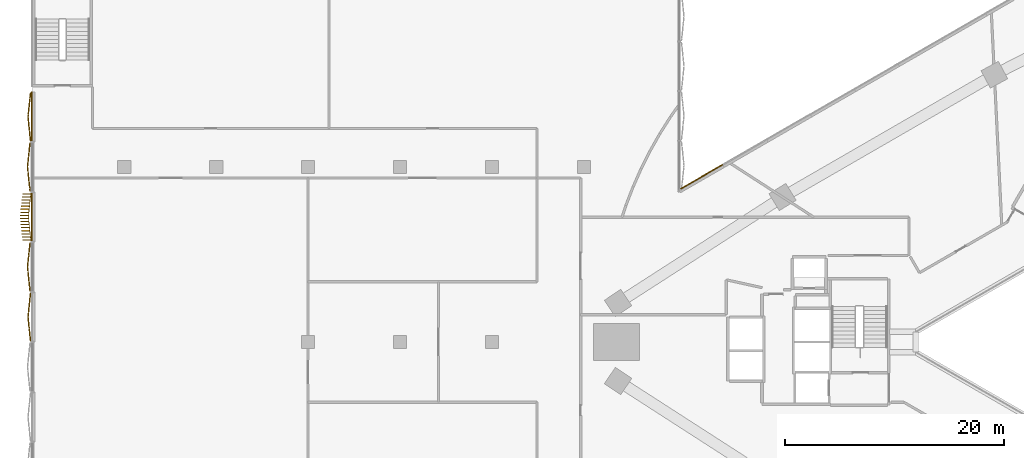
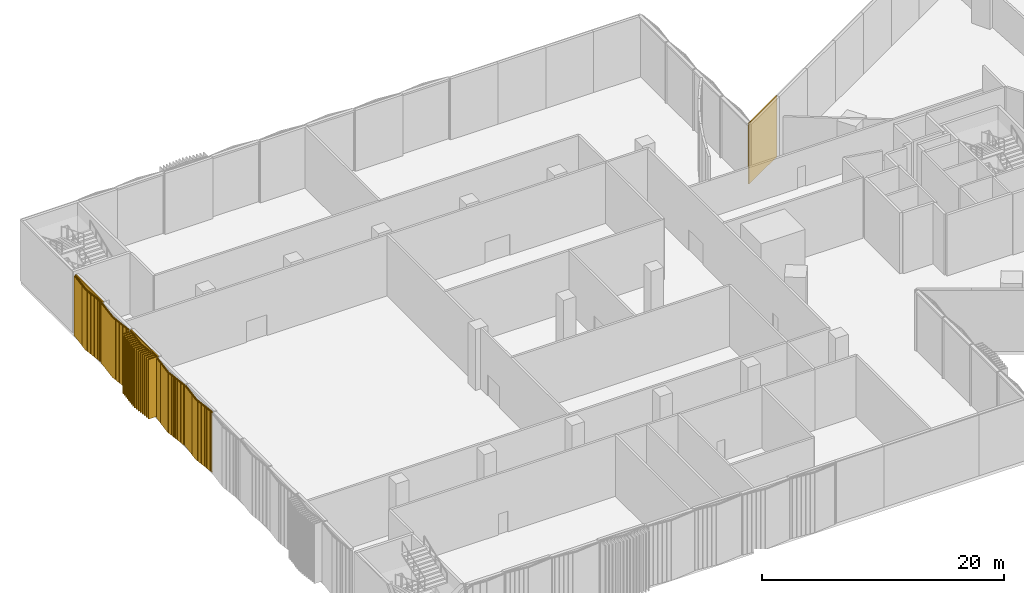
# One storey, part 25 of 32: 8 coverings.
"""IFC4 building model written with IfcOpenShell, lengths in metres."""

from ifc_helpers import new_model, si_unit, direction, frame, frame_2d, origin, origin_2d, place, context, subcontext, project, spatial, rectangle, extrude, source, transform, mapped, material, layer, layer_set, type_object, element, save


model = new_model("IFC4")

# Units and contexts
model_context = context("Model", 3, precision=1e-05, world=origin(), true_north=direction((0.0, 1.0)))
body_context = subcontext(model_context, "Body", "Model", "MODEL_VIEW")
ifc_project = project(units=[si_unit("LENGTHUNIT", "METRE"), si_unit("AREAUNIT", "SQUARE_METRE"), si_unit("VOLUMEUNIT", "CUBIC_METRE"), si_unit("PLANEANGLEUNIT", "RADIAN"), si_unit("MASSUNIT", "GRAM", prefix="KILO")], contexts=[model_context])

# Site, building, storey
site_placement = place(None, origin())
site = spatial("IfcSite", under=ifc_project, at=site_placement, CompositionType="ELEMENT")
building_placement = place(site_placement, origin())
building = spatial("IfcBuilding", under=site, at=building_placement, Name="Tamra Quay Hotel Tower", CompositionType="ELEMENT")
storey_placement = place(building_placement, frame((0.0, 0.0, 7.5)))
storey = spatial("IfcBuildingStorey", under=building, at=storey_placement, Name="L01", CompositionType="ELEMENT", Elevation=7.5)

# Coverings
ifc_material_1 = material(Name="Precast concrete M60 terracotta-coloured pierced relief", Category="masonry")
ifc_layer = layer(ifc_material_1, 0.10009765625)
ifc_layer_set = layer_set([ifc_layer], Name="PIERCED RELIEF PANEL 100")
covering_type_1 = type_object("IfcCoveringType", Name="PIERCED RELIEF PANEL 100", PredefinedType="CLADDING", material=ifc_layer_set)
covering_1_placement = place(storey_placement, frame((-28.024169921875, 15.053955078125, 0.0), z_axis=(0.0, 0.0, 1.0), x_axis=(-0.866214936261, -0.499671576337, 0.0)))
element("IfcCovering", 1, at=covering_1_placement, inside=storey, type_object=covering_type_1, Name="Relief panel L01.NW.10", PredefinedType="CLADDING", context=body_context, shape_type="SweptSolid", body=[
    extrude(rectangle(XDim=4.599853515625, YDim=0.10009765625, at=origin_2d()), origin(), (0.0, 0.0, 1.0), 6.14990234375),
])
for number, where, z_axis, x_axis, name in (
    (2, (-89.14990234375, 20.571533203125, 0.0), (0.0, 0.0, 1.0), (0.0, -1.0, 0.0), "Relief panel L01.W.00"),
    (3, (-89.14990234375, 11.428466796875, 0.0), (0.0, 0.0, 1.0), (0.0, -1.0, 0.0), "Relief panel L01.W.02"),
):
    element("IfcCovering", number, at=place(storey_placement, frame(where, z_axis=z_axis, x_axis=x_axis)), inside=storey, type_object=covering_type_1, Name=name, PredefinedType="CLADDING", context=body_context, shape_type="SweptSolid", body=[
        extrude(rectangle(XDim=4.551513671875, YDim=0.10009765625, at=origin_2d()), origin(), (0.0, 0.0, 1.0), 6.14990234375),
    ])
ifc_material_2 = material(Name="Terracotta baguette extruded", Category="masonry")
covering_type_2 = type_object("IfcCoveringType", Name="BAGUETTE SCREEN PODIUM-SHALLOW H6150", PredefinedType="USERDEFINED", material=ifc_material_2)
shared_shape_1 = source(origin(), body_context, "Body", "SweptSolid", [
    extrude(rectangle(XDim=2.2548828125, YDim=0.06005859375, at=frame_2d((1.12744140625, 0.030029296875))), frame((-2.248779296875, -0.0576171875, -0.1201171875), z_axis=(0.0, 0.0, 1.0), x_axis=(0.994521895368, -0.104528463268, 0.0)), (0.0, 0.0, 1.0), 0.1201171875),
    extrude(rectangle(XDim=2.2548828125, YDim=0.06005859375, at=frame_2d((1.12744140625, 0.030029296875))), frame((-2.248779296875, -0.0576171875, -6.14990234375), z_axis=(0.0, 0.0, 1.0), x_axis=(0.994521895368, -0.104528463268, 0.0)), (0.0, 0.0, 1.0), 0.1201171875),
    extrude(rectangle(XDim=0.094970703125, YDim=0.10009765625, at=frame_2d((0.04736328125, 0.050048828125))), frame((-2.2412109375, -0.133056640625, -6.090087890625)), (0.0, 0.0, 1.0), 6.030029296875),
    extrude(rectangle(XDim=0.094970703125, YDim=0.10009765625, at=frame_2d((0.04736328125, 0.050048828125))), frame((-2.143798828125, -0.143310546875, -6.090087890625)), (0.0, 0.0, 1.0), 6.030029296875),
    extrude(rectangle(XDim=0.094970703125, YDim=0.10009765625, at=frame_2d((0.04736328125, 0.050048828125))), frame((-2.046142578125, -0.153564453125, -6.090087890625)), (0.0, 0.0, 1.0), 6.030029296875),
    extrude(rectangle(XDim=0.094970703125, YDim=0.10009765625, at=frame_2d((0.04736328125, 0.050048828125))), frame((-1.94873046875, -0.163818359375, -6.090087890625)), (0.0, 0.0, 1.0), 6.030029296875),
    extrude(rectangle(XDim=0.094970703125, YDim=0.10009765625, at=frame_2d((0.04736328125, 0.050048828125))), frame((-1.851318359375, -0.174072265625, -6.090087890625)), (0.0, 0.0, 1.0), 6.030029296875),
    extrude(rectangle(XDim=0.094970703125, YDim=0.10009765625, at=frame_2d((0.04736328125, 0.050048828125))), frame((-1.753662109375, -0.184326171875, -6.090087890625)), (0.0, 0.0, 1.0), 6.030029296875),
    extrude(rectangle(XDim=0.094970703125, YDim=0.10009765625, at=frame_2d((0.04736328125, 0.050048828125))), frame((-1.65625, -0.194580078125, -6.090087890625)), (0.0, 0.0, 1.0), 6.030029296875),
    extrude(rectangle(XDim=0.094970703125, YDim=0.10009765625, at=frame_2d((0.04736328125, 0.050048828125))), frame((-1.558837890625, -0.204833984375, -6.090087890625)), (0.0, 0.0, 1.0), 6.030029296875),
    extrude(rectangle(XDim=0.094970703125, YDim=0.10009765625, at=frame_2d((0.04736328125, 0.050048828125))), frame((-1.461181640625, -0.215087890625, -6.090087890625)), (0.0, 0.0, 1.0), 6.030029296875),
    extrude(rectangle(XDim=0.094970703125, YDim=0.10009765625, at=frame_2d((0.04736328125, 0.050048828125))), frame((-1.36376953125, -0.225341796875, -6.090087890625)), (0.0, 0.0, 1.0), 6.030029296875),
    extrude(rectangle(XDim=0.094970703125, YDim=0.10009765625, at=frame_2d((0.04736328125, 0.050048828125))), frame((-1.266357421875, -0.235595703125, -6.090087890625)), (0.0, 0.0, 1.0), 6.030029296875),
    extrude(rectangle(XDim=0.094970703125, YDim=0.10009765625, at=frame_2d((0.04736328125, 0.050048828125))), frame((-1.168701171875, -0.245849609375, -6.090087890625)), (0.0, 0.0, 1.0), 6.030029296875),
    extrude(rectangle(XDim=0.094970703125, YDim=0.10009765625, at=frame_2d((0.04736328125, 0.050048828125))), frame((-1.0712890625, -0.256103515625, -6.090087890625)), (0.0, 0.0, 1.0), 6.030029296875),
    extrude(rectangle(XDim=0.094970703125, YDim=0.10009765625, at=frame_2d((0.04736328125, 0.050048828125))), frame((-0.9736328125, -0.266357421875, -6.090087890625)), (0.0, 0.0, 1.0), 6.030029296875),
    extrude(rectangle(XDim=0.094970703125, YDim=0.10009765625, at=frame_2d((0.04736328125, 0.050048828125))), frame((-0.876220703125, -0.276611328125, -6.090087890625)), (0.0, 0.0, 1.0), 6.030029296875),
    extrude(rectangle(XDim=0.094970703125, YDim=0.10009765625, at=frame_2d((0.04736328125, 0.050048828125))), frame((-0.77880859375, -0.286865234375, -6.090087890625)), (0.0, 0.0, 1.0), 6.030029296875),
    extrude(rectangle(XDim=0.094970703125, YDim=0.10009765625, at=frame_2d((0.04736328125, 0.050048828125))), frame((-0.68115234375, -0.297119140625, -6.090087890625)), (0.0, 0.0, 1.0), 6.030029296875),
    extrude(rectangle(XDim=0.094970703125, YDim=0.10009765625, at=frame_2d((0.04736328125, 0.050048828125))), frame((-0.583740234375, -0.307373046875, -6.090087890625)), (0.0, 0.0, 1.0), 6.030029296875),
    extrude(rectangle(XDim=0.094970703125, YDim=0.10009765625, at=frame_2d((0.04736328125, 0.050048828125))), frame((-0.486328125, -0.317626953125, -6.090087890625)), (0.0, 0.0, 1.0), 6.030029296875),
    extrude(rectangle(XDim=0.094970703125, YDim=0.10009765625, at=frame_2d((0.04736328125, 0.050048828125))), frame((-0.388671875, -0.327880859375, -6.090087890625)), (0.0, 0.0, 1.0), 6.030029296875),
    extrude(rectangle(XDim=0.094970703125, YDim=0.10009765625, at=frame_2d((0.04736328125, 0.050048828125))), frame((-0.291259765625, -0.338134765625, -6.090087890625)), (0.0, 0.0, 1.0), 6.030029296875),
    extrude(rectangle(XDim=0.094970703125, YDim=0.10009765625, at=frame_2d((0.04736328125, 0.050048828125))), frame((-0.19384765625, -0.348388671875, -6.090087890625)), (0.0, 0.0, 1.0), 6.030029296875),
    extrude(rectangle(XDim=0.094970703125, YDim=0.10009765625, at=frame_2d((0.04736328125, 0.050048828125))), frame((-0.09619140625, -0.358642578125, -6.090087890625)), (0.0, 0.0, 1.0), 6.030029296875),
    extrude(rectangle(XDim=2.2548828125, YDim=0.06005859375, at=frame_2d((1.12744140625, 0.030029296875))), frame((0.00634765625, -0.29345703125, -0.1201171875), z_axis=(0.0, 0.0, 1.0), x_axis=(0.994521895368, 0.104528463268, 0.0)), (0.0, 0.0, 1.0), 0.1201171875),
    extrude(rectangle(XDim=2.2548828125, YDim=0.06005859375, at=frame_2d((1.12744140625, 0.030029296875))), frame((0.00634765625, -0.29345703125, -6.14990234375), z_axis=(0.0, 0.0, 1.0), x_axis=(0.994521895368, 0.104528463268, 0.0)), (0.0, 0.0, 1.0), 0.1201171875),
    extrude(rectangle(XDim=0.094970703125, YDim=0.10009765625, at=frame_2d((0.04736328125, 0.050048828125))), frame((0.001220703125, -0.358642578125, -6.090087890625)), (0.0, 0.0, 1.0), 6.030029296875),
    extrude(rectangle(XDim=0.094970703125, YDim=0.10009765625, at=frame_2d((0.04736328125, 0.050048828125))), frame((0.0986328125, -0.348388671875, -6.090087890625)), (0.0, 0.0, 1.0), 6.030029296875),
    extrude(rectangle(XDim=0.094970703125, YDim=0.10009765625, at=frame_2d((0.04736328125, 0.050048828125))), frame((0.1962890625, -0.338134765625, -6.090087890625)), (0.0, 0.0, 1.0), 6.030029296875),
    extrude(rectangle(XDim=0.094970703125, YDim=0.10009765625, at=frame_2d((0.04736328125, 0.050048828125))), frame((0.293701171875, -0.327880859375, -6.090087890625)), (0.0, 0.0, 1.0), 6.030029296875),
    extrude(rectangle(XDim=0.094970703125, YDim=0.10009765625, at=frame_2d((0.04736328125, 0.050048828125))), frame((0.391357421875, -0.317626953125, -6.090087890625)), (0.0, 0.0, 1.0), 6.030029296875),
    extrude(rectangle(XDim=0.094970703125, YDim=0.10009765625, at=frame_2d((0.04736328125, 0.050048828125))), frame((0.48876953125, -0.307373046875, -6.090087890625)), (0.0, 0.0, 1.0), 6.030029296875),
    extrude(rectangle(XDim=0.094970703125, YDim=0.10009765625, at=frame_2d((0.04736328125, 0.050048828125))), frame((0.586181640625, -0.297119140625, -6.090087890625)), (0.0, 0.0, 1.0), 6.030029296875),
    extrude(rectangle(XDim=0.094970703125, YDim=0.10009765625, at=frame_2d((0.04736328125, 0.050048828125))), frame((0.683837890625, -0.286865234375, -6.090087890625)), (0.0, 0.0, 1.0), 6.030029296875),
    extrude(rectangle(XDim=0.094970703125, YDim=0.10009765625, at=frame_2d((0.04736328125, 0.050048828125))), frame((0.78125, -0.276611328125, -6.090087890625)), (0.0, 0.0, 1.0), 6.030029296875),
    extrude(rectangle(XDim=0.094970703125, YDim=0.10009765625, at=frame_2d((0.04736328125, 0.050048828125))), frame((0.878662109375, -0.266357421875, -6.090087890625)), (0.0, 0.0, 1.0), 6.030029296875),
    extrude(rectangle(XDim=0.094970703125, YDim=0.10009765625, at=frame_2d((0.04736328125, 0.050048828125))), frame((0.976318359375, -0.256103515625, -6.090087890625)), (0.0, 0.0, 1.0), 6.030029296875),
    extrude(rectangle(XDim=0.094970703125, YDim=0.10009765625, at=frame_2d((0.04736328125, 0.050048828125))), frame((1.07373046875, -0.245849609375, -6.090087890625)), (0.0, 0.0, 1.0), 6.030029296875),
    extrude(rectangle(XDim=0.094970703125, YDim=0.10009765625, at=frame_2d((0.04736328125, 0.050048828125))), frame((1.171142578125, -0.235595703125, -6.090087890625)), (0.0, 0.0, 1.0), 6.030029296875),
    extrude(rectangle(XDim=0.094970703125, YDim=0.10009765625, at=frame_2d((0.04736328125, 0.050048828125))), frame((1.268798828125, -0.225341796875, -6.090087890625)), (0.0, 0.0, 1.0), 6.030029296875),
    extrude(rectangle(XDim=0.094970703125, YDim=0.10009765625, at=frame_2d((0.04736328125, 0.050048828125))), frame((1.3662109375, -0.215087890625, -6.090087890625)), (0.0, 0.0, 1.0), 6.030029296875),
    extrude(rectangle(XDim=0.094970703125, YDim=0.10009765625, at=frame_2d((0.04736328125, 0.050048828125))), frame((1.4638671875, -0.204833984375, -6.090087890625)), (0.0, 0.0, 1.0), 6.030029296875),
    extrude(rectangle(XDim=0.094970703125, YDim=0.10009765625, at=frame_2d((0.04736328125, 0.050048828125))), frame((1.561279296875, -0.194580078125, -6.090087890625)), (0.0, 0.0, 1.0), 6.030029296875),
    extrude(rectangle(XDim=0.094970703125, YDim=0.10009765625, at=frame_2d((0.04736328125, 0.050048828125))), frame((1.65869140625, -0.184326171875, -6.090087890625)), (0.0, 0.0, 1.0), 6.030029296875),
    extrude(rectangle(XDim=0.094970703125, YDim=0.10009765625, at=frame_2d((0.04736328125, 0.050048828125))), frame((1.75634765625, -0.174072265625, -6.090087890625)), (0.0, 0.0, 1.0), 6.030029296875),
    extrude(rectangle(XDim=0.094970703125, YDim=0.10009765625, at=frame_2d((0.04736328125, 0.050048828125))), frame((1.853759765625, -0.163818359375, -6.090087890625)), (0.0, 0.0, 1.0), 6.030029296875),
    extrude(rectangle(XDim=0.094970703125, YDim=0.10009765625, at=frame_2d((0.04736328125, 0.050048828125))), frame((1.951171875, -0.153564453125, -6.090087890625)), (0.0, 0.0, 1.0), 6.030029296875),
    extrude(rectangle(XDim=0.094970703125, YDim=0.10009765625, at=frame_2d((0.04736328125, 0.050048828125))), frame((2.048828125, -0.143310546875, -6.090087890625)), (0.0, 0.0, 1.0), 6.030029296875),
    extrude(rectangle(XDim=0.094970703125, YDim=0.10009765625, at=frame_2d((0.04736328125, 0.050048828125))), frame((2.146240234375, -0.133056640625, -6.090087890625)), (0.0, 0.0, 1.0), 6.030029296875),
])
for number, where, z_axis, x_axis, name in (
    (4, (-89.248046875, 16.0, 6.14990234375), (0.0, 0.0, 1.0), (0.0, -1.0, 0.0), "Baguette screen L01.W.f00"),
    (5, (-89.248046875, 6.857177734375, 6.14990234375), (0.0, 0.0, 1.0), (0.0, -1.0, 0.0), "Baguette screen L01.W.f01"),
):
    element("IfcCovering", number, at=place(storey_placement, frame(where, z_axis=z_axis, x_axis=x_axis)), inside=storey, type_object=covering_type_2, Name=name, ObjectType="BAGUETTE SCREEN", PredefinedType="USERDEFINED", context=body_context, shape_type="MappedRepresentation", body=[
        mapped(shared_shape_1, transform((0.0, 0.0, 0.0), scale=1.0)),
    ])
covering_type_3 = type_object("IfcCoveringType", Name="BAGUETTE SCREEN SW-SHALLOW H6150", PredefinedType="USERDEFINED", material=ifc_material_2)
shared_shape_2 = source(origin(), body_context, "Body", "SweptSolid", [
    extrude(rectangle(XDim=2.2548828125, YDim=0.06005859375, at=frame_2d((1.12744140625, 0.030029296875))), frame((-2.248779296875, -0.0576171875, -0.1201171875), z_axis=(0.0, 0.0, 1.0), x_axis=(0.994521895368, -0.104528463268, 0.0)), (0.0, 0.0, 1.0), 0.1201171875),
    extrude(rectangle(XDim=2.2548828125, YDim=0.06005859375, at=frame_2d((1.12744140625, 0.030029296875))), frame((-2.248779296875, -0.0576171875, -6.14990234375), z_axis=(0.0, 0.0, 1.0), x_axis=(0.994521895368, -0.104528463268, 0.0)), (0.0, 0.0, 1.0), 0.1201171875),
    extrude(rectangle(XDim=0.094970703125, YDim=0.10009765625, at=frame_2d((0.04736328125, 0.050048828125))), frame((-2.2412109375, -0.133056640625, -6.090087890625)), (0.0, 0.0, 1.0), 6.030029296875),
    extrude(rectangle(XDim=0.094970703125, YDim=0.10009765625, at=frame_2d((0.04736328125, 0.050048828125))), frame((-2.143798828125, -0.143310546875, -6.090087890625)), (0.0, 0.0, 1.0), 6.030029296875),
    extrude(rectangle(XDim=0.094970703125, YDim=0.10009765625, at=frame_2d((0.04736328125, 0.050048828125))), frame((-2.046142578125, -0.153564453125, -6.090087890625)), (0.0, 0.0, 1.0), 6.030029296875),
    extrude(rectangle(XDim=0.094970703125, YDim=0.10009765625, at=frame_2d((0.04736328125, 0.050048828125))), frame((-1.94873046875, -0.163818359375, -6.090087890625)), (0.0, 0.0, 1.0), 6.030029296875),
    extrude(rectangle(XDim=0.094970703125, YDim=0.10009765625, at=frame_2d((0.04736328125, 0.050048828125))), frame((-1.851318359375, -0.174072265625, -6.090087890625)), (0.0, 0.0, 1.0), 6.030029296875),
    extrude(rectangle(XDim=0.094970703125, YDim=0.10009765625, at=frame_2d((0.04736328125, 0.050048828125))), frame((-1.753662109375, -0.184326171875, -6.090087890625)), (0.0, 0.0, 1.0), 6.030029296875),
    extrude(rectangle(XDim=0.094970703125, YDim=0.10009765625, at=frame_2d((0.04736328125, 0.050048828125))), frame((-1.65625, -0.194580078125, -6.090087890625)), (0.0, 0.0, 1.0), 6.030029296875),
    extrude(rectangle(XDim=0.094970703125, YDim=0.10009765625, at=frame_2d((0.04736328125, 0.050048828125))), frame((-1.558837890625, -0.204833984375, -6.090087890625)), (0.0, 0.0, 1.0), 6.030029296875),
    extrude(rectangle(XDim=0.094970703125, YDim=0.10009765625, at=frame_2d((0.04736328125, 0.050048828125))), frame((-1.461181640625, -0.215087890625, -6.090087890625)), (0.0, 0.0, 1.0), 6.030029296875),
    extrude(rectangle(XDim=0.094970703125, YDim=0.10009765625, at=frame_2d((0.04736328125, 0.050048828125))), frame((-1.36376953125, -0.225341796875, -6.090087890625)), (0.0, 0.0, 1.0), 6.030029296875),
    extrude(rectangle(XDim=0.094970703125, YDim=0.10009765625, at=frame_2d((0.04736328125, 0.050048828125))), frame((-1.266357421875, -0.235595703125, -6.090087890625)), (0.0, 0.0, 1.0), 6.030029296875),
    extrude(rectangle(XDim=0.094970703125, YDim=0.10009765625, at=frame_2d((0.04736328125, 0.050048828125))), frame((-1.168701171875, -0.245849609375, -6.090087890625)), (0.0, 0.0, 1.0), 6.030029296875),
    extrude(rectangle(XDim=0.094970703125, YDim=0.10009765625, at=frame_2d((0.04736328125, 0.050048828125))), frame((-1.0712890625, -0.256103515625, -6.090087890625)), (0.0, 0.0, 1.0), 6.030029296875),
    extrude(rectangle(XDim=0.094970703125, YDim=0.10009765625, at=frame_2d((0.04736328125, 0.050048828125))), frame((-0.9736328125, -0.266357421875, -6.090087890625)), (0.0, 0.0, 1.0), 6.030029296875),
    extrude(rectangle(XDim=0.094970703125, YDim=0.10009765625, at=frame_2d((0.04736328125, 0.050048828125))), frame((-0.876220703125, -0.276611328125, -6.090087890625)), (0.0, 0.0, 1.0), 6.030029296875),
    extrude(rectangle(XDim=0.094970703125, YDim=0.10009765625, at=frame_2d((0.04736328125, 0.050048828125))), frame((-0.77880859375, -0.286865234375, -6.090087890625)), (0.0, 0.0, 1.0), 6.030029296875),
    extrude(rectangle(XDim=0.094970703125, YDim=0.10009765625, at=frame_2d((0.04736328125, 0.050048828125))), frame((-0.68115234375, -0.297119140625, -6.090087890625)), (0.0, 0.0, 1.0), 6.030029296875),
    extrude(rectangle(XDim=0.094970703125, YDim=0.10009765625, at=frame_2d((0.04736328125, 0.050048828125))), frame((-0.583740234375, -0.307373046875, -6.090087890625)), (0.0, 0.0, 1.0), 6.030029296875),
    extrude(rectangle(XDim=0.094970703125, YDim=0.10009765625, at=frame_2d((0.04736328125, 0.050048828125))), frame((-0.486328125, -0.317626953125, -6.090087890625)), (0.0, 0.0, 1.0), 6.030029296875),
    extrude(rectangle(XDim=0.094970703125, YDim=0.10009765625, at=frame_2d((0.04736328125, 0.050048828125))), frame((-0.388671875, -0.327880859375, -6.090087890625)), (0.0, 0.0, 1.0), 6.030029296875),
    extrude(rectangle(XDim=0.094970703125, YDim=0.10009765625, at=frame_2d((0.04736328125, 0.050048828125))), frame((-0.291259765625, -0.338134765625, -6.090087890625)), (0.0, 0.0, 1.0), 6.030029296875),
    extrude(rectangle(XDim=0.094970703125, YDim=0.10009765625, at=frame_2d((0.04736328125, 0.050048828125))), frame((-0.19384765625, -0.348388671875, -6.090087890625)), (0.0, 0.0, 1.0), 6.030029296875),
    extrude(rectangle(XDim=0.094970703125, YDim=0.10009765625, at=frame_2d((0.04736328125, 0.050048828125))), frame((-0.09619140625, -0.358642578125, -6.090087890625)), (0.0, 0.0, 1.0), 6.030029296875),
    extrude(rectangle(XDim=2.2548828125, YDim=0.06005859375, at=frame_2d((1.12744140625, 0.030029296875))), frame((0.00634765625, -0.29345703125, -0.1201171875), z_axis=(0.0, 0.0, 1.0), x_axis=(0.994521895368, 0.104528463268, 0.0)), (0.0, 0.0, 1.0), 0.1201171875),
    extrude(rectangle(XDim=2.2548828125, YDim=0.06005859375, at=frame_2d((1.12744140625, 0.030029296875))), frame((0.00634765625, -0.29345703125, -6.14990234375), z_axis=(0.0, 0.0, 1.0), x_axis=(0.994521895368, 0.104528463268, 0.0)), (0.0, 0.0, 1.0), 0.1201171875),
    extrude(rectangle(XDim=0.094970703125, YDim=0.10009765625, at=frame_2d((0.04736328125, 0.050048828125))), frame((0.001220703125, -0.358642578125, -6.090087890625)), (0.0, 0.0, 1.0), 6.030029296875),
    extrude(rectangle(XDim=0.094970703125, YDim=0.10009765625, at=frame_2d((0.04736328125, 0.050048828125))), frame((0.0986328125, -0.348388671875, -6.090087890625)), (0.0, 0.0, 1.0), 6.030029296875),
    extrude(rectangle(XDim=0.094970703125, YDim=0.10009765625, at=frame_2d((0.04736328125, 0.050048828125))), frame((0.1962890625, -0.338134765625, -6.090087890625)), (0.0, 0.0, 1.0), 6.030029296875),
    extrude(rectangle(XDim=0.094970703125, YDim=0.10009765625, at=frame_2d((0.04736328125, 0.050048828125))), frame((0.293701171875, -0.327880859375, -6.090087890625)), (0.0, 0.0, 1.0), 6.030029296875),
    extrude(rectangle(XDim=0.094970703125, YDim=0.10009765625, at=frame_2d((0.04736328125, 0.050048828125))), frame((0.391357421875, -0.317626953125, -6.090087890625)), (0.0, 0.0, 1.0), 6.030029296875),
    extrude(rectangle(XDim=0.094970703125, YDim=0.10009765625, at=frame_2d((0.04736328125, 0.050048828125))), frame((0.48876953125, -0.307373046875, -6.090087890625)), (0.0, 0.0, 1.0), 6.030029296875),
    extrude(rectangle(XDim=0.094970703125, YDim=0.10009765625, at=frame_2d((0.04736328125, 0.050048828125))), frame((0.586181640625, -0.297119140625, -6.090087890625)), (0.0, 0.0, 1.0), 6.030029296875),
    extrude(rectangle(XDim=0.094970703125, YDim=0.10009765625, at=frame_2d((0.04736328125, 0.050048828125))), frame((0.683837890625, -0.286865234375, -6.090087890625)), (0.0, 0.0, 1.0), 6.030029296875),
    extrude(rectangle(XDim=0.094970703125, YDim=0.10009765625, at=frame_2d((0.04736328125, 0.050048828125))), frame((0.78125, -0.276611328125, -6.090087890625)), (0.0, 0.0, 1.0), 6.030029296875),
    extrude(rectangle(XDim=0.094970703125, YDim=0.10009765625, at=frame_2d((0.04736328125, 0.050048828125))), frame((0.878662109375, -0.266357421875, -6.090087890625)), (0.0, 0.0, 1.0), 6.030029296875),
    extrude(rectangle(XDim=0.094970703125, YDim=0.10009765625, at=frame_2d((0.04736328125, 0.050048828125))), frame((0.976318359375, -0.256103515625, -6.090087890625)), (0.0, 0.0, 1.0), 6.030029296875),
    extrude(rectangle(XDim=0.094970703125, YDim=0.10009765625, at=frame_2d((0.04736328125, 0.050048828125))), frame((1.07373046875, -0.245849609375, -6.090087890625)), (0.0, 0.0, 1.0), 6.030029296875),
    extrude(rectangle(XDim=0.094970703125, YDim=0.10009765625, at=frame_2d((0.04736328125, 0.050048828125))), frame((1.171142578125, -0.235595703125, -6.090087890625)), (0.0, 0.0, 1.0), 6.030029296875),
    extrude(rectangle(XDim=0.094970703125, YDim=0.10009765625, at=frame_2d((0.04736328125, 0.050048828125))), frame((1.268798828125, -0.225341796875, -6.090087890625)), (0.0, 0.0, 1.0), 6.030029296875),
    extrude(rectangle(XDim=0.094970703125, YDim=0.10009765625, at=frame_2d((0.04736328125, 0.050048828125))), frame((1.3662109375, -0.215087890625, -6.090087890625)), (0.0, 0.0, 1.0), 6.030029296875),
    extrude(rectangle(XDim=0.094970703125, YDim=0.10009765625, at=frame_2d((0.04736328125, 0.050048828125))), frame((1.4638671875, -0.204833984375, -6.090087890625)), (0.0, 0.0, 1.0), 6.030029296875),
    extrude(rectangle(XDim=0.094970703125, YDim=0.10009765625, at=frame_2d((0.04736328125, 0.050048828125))), frame((1.561279296875, -0.194580078125, -6.090087890625)), (0.0, 0.0, 1.0), 6.030029296875),
    extrude(rectangle(XDim=0.094970703125, YDim=0.10009765625, at=frame_2d((0.04736328125, 0.050048828125))), frame((1.65869140625, -0.184326171875, -6.090087890625)), (0.0, 0.0, 1.0), 6.030029296875),
    extrude(rectangle(XDim=0.094970703125, YDim=0.10009765625, at=frame_2d((0.04736328125, 0.050048828125))), frame((1.75634765625, -0.174072265625, -6.090087890625)), (0.0, 0.0, 1.0), 6.030029296875),
    extrude(rectangle(XDim=0.094970703125, YDim=0.10009765625, at=frame_2d((0.04736328125, 0.050048828125))), frame((1.853759765625, -0.163818359375, -6.090087890625)), (0.0, 0.0, 1.0), 6.030029296875),
    extrude(rectangle(XDim=0.094970703125, YDim=0.10009765625, at=frame_2d((0.04736328125, 0.050048828125))), frame((1.951171875, -0.153564453125, -6.090087890625)), (0.0, 0.0, 1.0), 6.030029296875),
    extrude(rectangle(XDim=0.094970703125, YDim=0.10009765625, at=frame_2d((0.04736328125, 0.050048828125))), frame((2.048828125, -0.143310546875, -6.090087890625)), (0.0, 0.0, 1.0), 6.030029296875),
    extrude(rectangle(XDim=0.094970703125, YDim=0.10009765625, at=frame_2d((0.04736328125, 0.050048828125))), frame((2.146240234375, -0.133056640625, -6.090087890625)), (0.0, 0.0, 1.0), 6.030029296875),
])
for number, where, z_axis, x_axis, name in (
    (6, (-89.199951171875, 20.571533203125, 6.14990234375), (0.0, 0.0, 1.0), (0.0, -1.0, 0.0), "Baguette screen wing.L01.W.00"),
    (7, (-89.199951171875, 2.28564453125, 6.14990234375), (0.0, 0.0, 1.0), (0.0, -1.0, 0.0), "Baguette screen wing.L01.W.04"),
):
    element("IfcCovering", number, at=place(storey_placement, frame(where, z_axis=z_axis, x_axis=x_axis)), inside=storey, type_object=covering_type_3, Name=name, ObjectType="BAGUETTE SCREEN", PredefinedType="USERDEFINED", context=body_context, shape_type="MappedRepresentation", body=[
        mapped(shared_shape_2, transform((0.0, 0.0, 0.0), scale=1.0)),
    ])
covering_type_4 = type_object("IfcCoveringType", Name="BAGUETTE SCREEN SW-DEEP H6150", PredefinedType="USERDEFINED", material=ifc_material_2)
shared_shape_3 = source(origin(), body_context, "Body", "SweptSolid", [
    extrude(rectangle(XDim=2.2548828125, YDim=0.06005859375, at=frame_2d((1.12744140625, 0.030029296875))), frame((-2.248779296875, -0.0576171875, -0.1201171875), z_axis=(0.0, 0.0, 1.0), x_axis=(0.994521895368, -0.104528463268, 0.0)), (0.0, 0.0, 1.0), 0.1201171875),
    extrude(rectangle(XDim=2.2548828125, YDim=0.06005859375, at=frame_2d((1.12744140625, 0.030029296875))), frame((-2.248779296875, -0.0576171875, -6.14990234375), z_axis=(0.0, 0.0, 1.0), x_axis=(0.994521895368, -0.104528463268, 0.0)), (0.0, 0.0, 1.0), 0.1201171875),
    extrude(rectangle(XDim=0.10009765625, YDim=0.780029296875, at=frame_2d((0.050048828125, 0.39013671875))), frame((-2.15234375, -0.82275390625, -6.090087890625)), (0.0, 0.0, 1.0), 6.030029296875),
    extrude(rectangle(XDim=0.10009765625, YDim=0.780029296875, at=frame_2d((0.050048828125, 0.39013671875))), frame((-1.8720703125, -0.852294921875, -6.090087890625)), (0.0, 0.0, 1.0), 6.030029296875),
    extrude(rectangle(XDim=0.10009765625, YDim=0.780029296875, at=frame_2d((0.050048828125, 0.39013671875))), frame((-1.591796875, -0.881591796875, -6.090087890625)), (0.0, 0.0, 1.0), 6.030029296875),
    extrude(rectangle(XDim=0.10009765625, YDim=0.780029296875, at=frame_2d((0.050048828125, 0.39013671875))), frame((-1.3115234375, -0.9111328125, -6.090087890625)), (0.0, 0.0, 1.0), 6.030029296875),
    extrude(rectangle(XDim=0.10009765625, YDim=0.780029296875, at=frame_2d((0.050048828125, 0.39013671875))), frame((-1.031005859375, -0.940673828125, -6.090087890625)), (0.0, 0.0, 1.0), 6.030029296875),
    extrude(rectangle(XDim=0.10009765625, YDim=0.780029296875, at=frame_2d((0.050048828125, 0.39013671875))), frame((-0.750732421875, -0.969970703125, -6.090087890625)), (0.0, 0.0, 1.0), 6.030029296875),
    extrude(rectangle(XDim=0.10009765625, YDim=0.780029296875, at=frame_2d((0.050048828125, 0.39013671875))), frame((-0.470458984375, -0.99951171875, -6.090087890625)), (0.0, 0.0, 1.0), 6.030029296875),
    extrude(rectangle(XDim=0.10009765625, YDim=0.780029296875, at=frame_2d((0.050048828125, 0.39013671875))), frame((-0.190185546875, -1.029052734375, -6.090087890625)), (0.0, 0.0, 1.0), 6.030029296875),
    extrude(rectangle(XDim=2.2548828125, YDim=0.06005859375, at=frame_2d((1.12744140625, 0.030029296875))), frame((0.00634765625, -0.29345703125, -0.1201171875), z_axis=(0.0, 0.0, 1.0), x_axis=(0.994521895368, 0.104528463268, 0.0)), (0.0, 0.0, 1.0), 0.1201171875),
    extrude(rectangle(XDim=2.2548828125, YDim=0.06005859375, at=frame_2d((1.12744140625, 0.030029296875))), frame((0.00634765625, -0.29345703125, -6.14990234375), z_axis=(0.0, 0.0, 1.0), x_axis=(0.994521895368, 0.104528463268, 0.0)), (0.0, 0.0, 1.0), 0.1201171875),
    extrude(rectangle(XDim=0.10009765625, YDim=0.780029296875, at=frame_2d((0.050048828125, 0.39013671875))), frame((0.090087890625, -1.029052734375, -6.090087890625)), (0.0, 0.0, 1.0), 6.030029296875),
    extrude(rectangle(XDim=0.10009765625, YDim=0.780029296875, at=frame_2d((0.050048828125, 0.39013671875))), frame((0.370361328125, -0.99951171875, -6.090087890625)), (0.0, 0.0, 1.0), 6.030029296875),
    extrude(rectangle(XDim=0.10009765625, YDim=0.780029296875, at=frame_2d((0.050048828125, 0.39013671875))), frame((0.65087890625, -0.969970703125, -6.090087890625)), (0.0, 0.0, 1.0), 6.030029296875),
    extrude(rectangle(XDim=0.10009765625, YDim=0.780029296875, at=frame_2d((0.050048828125, 0.39013671875))), frame((0.93115234375, -0.940673828125, -6.090087890625)), (0.0, 0.0, 1.0), 6.030029296875),
    extrude(rectangle(XDim=0.10009765625, YDim=0.780029296875, at=frame_2d((0.050048828125, 0.39013671875))), frame((1.21142578125, -0.9111328125, -6.090087890625)), (0.0, 0.0, 1.0), 6.030029296875),
    extrude(rectangle(XDim=0.10009765625, YDim=0.780029296875, at=frame_2d((0.050048828125, 0.39013671875))), frame((1.49169921875, -0.881591796875, -6.090087890625)), (0.0, 0.0, 1.0), 6.030029296875),
    extrude(rectangle(XDim=0.10009765625, YDim=0.780029296875, at=frame_2d((0.050048828125, 0.39013671875))), frame((1.77197265625, -0.852294921875, -6.090087890625)), (0.0, 0.0, 1.0), 6.030029296875),
    extrude(rectangle(XDim=0.10009765625, YDim=0.780029296875, at=frame_2d((0.050048828125, 0.39013671875))), frame((2.05224609375, -0.82275390625, -6.090087890625)), (0.0, 0.0, 1.0), 6.030029296875),
])
covering_2_placement = place(storey_placement, frame((-89.199951171875, 11.428466796875, 6.14990234375), z_axis=(0.0, 0.0, 1.0), x_axis=(0.0, -1.0, 0.0)))
element("IfcCovering", 8, at=covering_2_placement, inside=storey, type_object=covering_type_4, Name="Baguette screen wing.L01.W.02", ObjectType="BAGUETTE SCREEN", PredefinedType="USERDEFINED", context=body_context, shape_type="MappedRepresentation", body=[
    mapped(shared_shape_3, transform((0.0, 0.0, 0.0), scale=1.0)),
])

save(model, "model.ifc")
